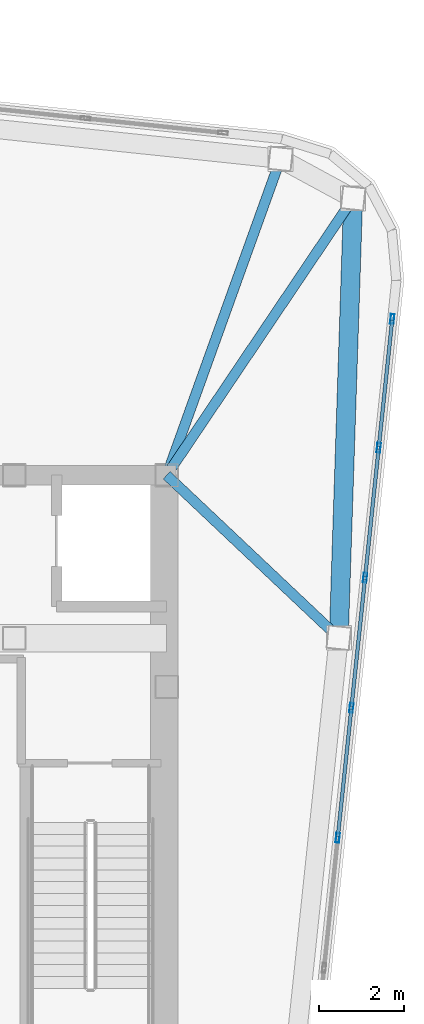
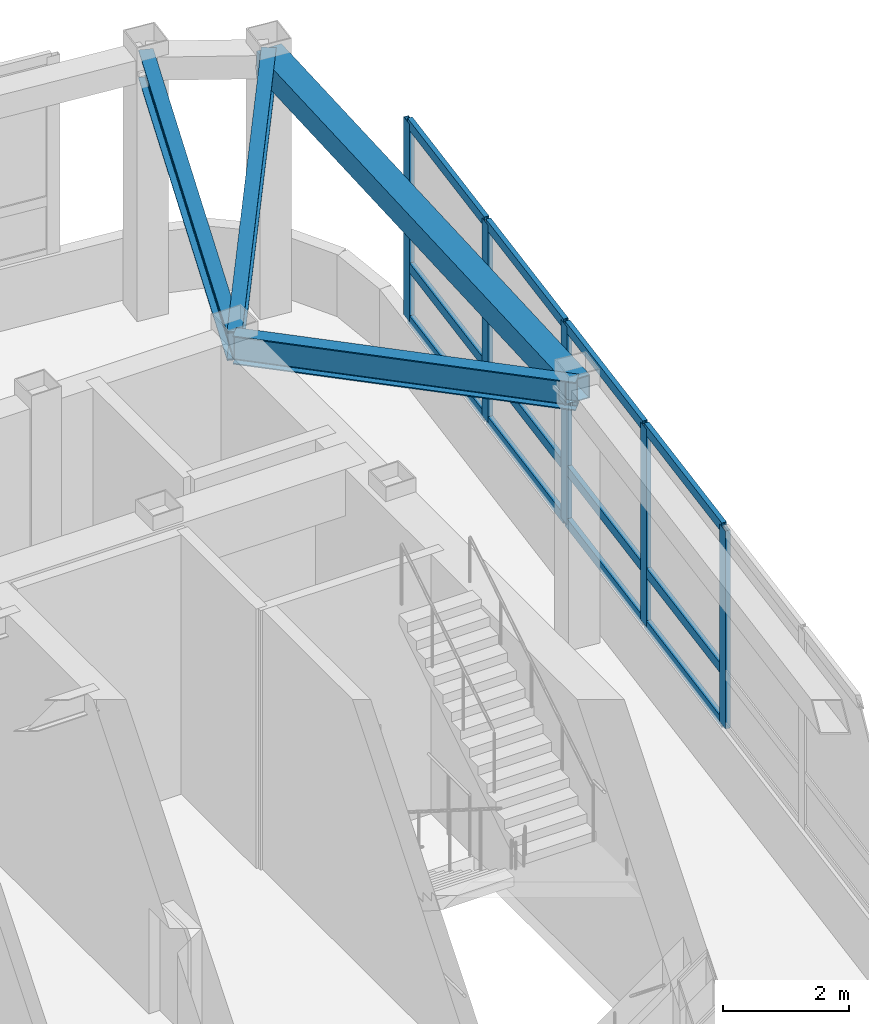
# One storey, part 13 of 23: 17 members, 4 beams, 1 element without a shape of its own.
"""IFC4 building model written with IfcOpenShell, lengths in metres."""

from ifc_helpers import new_model, si_unit, direction, frame, origin, origin_2d, place, context, subcontext, project, spatial, hollow_rectangle, i_section, extrude, material, layer, layer_set, material_profile, profile_set, type_object, element, aggregate, save


model = new_model("IFC4")

# Units and contexts
model_context = context("Model", 3, precision=1e-05, world=origin(), true_north=direction((0.0, 1.0)))
body_context = subcontext(model_context, "Body", "Model", "MODEL_VIEW")
ifc_project = project(units=[si_unit("LENGTHUNIT", "METRE"), si_unit("AREAUNIT", "SQUARE_METRE"), si_unit("VOLUMEUNIT", "CUBIC_METRE"), si_unit("PLANEANGLEUNIT", "RADIAN"), si_unit("MASSUNIT", "GRAM", prefix="KILO")], contexts=[model_context])

# Site, building, storey
site_placement = place(None, origin())
site = spatial("IfcSite", under=ifc_project, at=site_placement, CompositionType="ELEMENT")
building_placement = place(site_placement, origin())
building = spatial("IfcBuilding", under=site, at=building_placement, Name="Voryun Gate Residences", CompositionType="ELEMENT")
storey_placement = place(building_placement, frame((0.0, 0.0, 331.89990234375)))
storey = spatial("IfcBuildingStorey", under=building, at=storey_placement, Name="L81", CompositionType="ELEMENT", Elevation=331.89990234375)

# Beams
ifc_material_1 = material(Name="Steel SM355", Category="steel")
ifc_material_profile_1 = material_profile(ifc_material_1, hollow_rectangle(XDim=0.449951171875, YDim=0.449951171875, WallThickness=0.01806640625, at=origin_2d()), Name="BOX-450x450x18")
ifc_profile_set_1 = profile_set([ifc_material_profile_1], Name="Steel SM355")
beam_type_1 = type_object("IfcBeamType", Name="BM_CROWN_RING", PredefinedType="BEAM", material=ifc_profile_set_1)
beam_1_placement = place(storey_placement, frame((23.263916015625, 3.56201171875, 4.800048828125), z_axis=(0.032727694972, 0.999464305507, 0.0), x_axis=(-0.999464305507, 0.032727694972, 0.0)))
element("IfcBeam", 1, at=beam_1_placement, inside=storey, type_object=beam_type_1, Name="BM-L81-SPAND-09", PredefinedType="BEAM", context=body_context, shape_type="SweptSolid", body=[
    extrude(hollow_rectangle(XDim=0.449951171875, YDim=0.449951171875, WallThickness=0.01806640625, at=origin_2d()), origin(), (0.0, 0.0, 1.0), 10.384033203125),
])
ifc_material_2 = material(Name="Steel SM355", Category="steel")
ifc_material_profile_2 = material_profile(ifc_material_2, i_section(OverallWidth=0.239990234375, OverallDepth=0.550048828125, WebThickness=0.011962890625, FlangeThickness=0.02001953125, FilletRadius=0.01806640625, at=origin_2d()), Name="H-550x240x12x20")
ifc_profile_set_2 = profile_set([ifc_material_profile_2], Name="Steel SM355")
beam_type_2 = type_object("IfcBeamType", Name="BM_GIRD_550", PredefinedType="USERDEFINED", material=ifc_profile_set_2)
beam_2_placement = place(storey_placement, frame((19.199951171875, 7.39990234375, 4.75), z_axis=(0.727039799683, -0.686595317255, 0.0), x_axis=(0.686595317255, 0.727039799683, 0.0)))
element("IfcBeam", 2, at=beam_2_placement, inside=storey, type_object=beam_type_2, Name="BM-L81-RAD-E2", ObjectType="GIRDER", PredefinedType="USERDEFINED", context=body_context, shape_type="SweptSolid", body=[
    extrude(i_section(OverallWidth=0.239990234375, OverallDepth=0.550048828125, WebThickness=0.011962890625, FlangeThickness=0.02001953125, FilletRadius=0.01806640625, at=origin_2d()), origin(), (0.0, 0.0, 1.0), 5.58984375),
])
beam_3_placement = place(storey_placement, frame((19.199951171875, 7.39990234375, 4.75), z_axis=(0.558509953657, 0.829497818964, 0.0), x_axis=(-0.829497818964, 0.558509953657, 0.0)))
element("IfcBeam", 3, at=beam_3_placement, inside=storey, type_object=beam_type_2, Name="BM-L81-RAD-CNE", ObjectType="GIRDER", PredefinedType="USERDEFINED", context=body_context, shape_type="SweptSolid", body=[
    extrude(i_section(OverallWidth=0.239990234375, OverallDepth=0.550048828125, WebThickness=0.011962890625, FlangeThickness=0.02001953125, FilletRadius=0.01806640625, at=origin_2d()), origin(), (0.0, 0.0, 1.0), 7.885009765625),
])
beam_4_placement = place(storey_placement, frame((19.199951171875, 7.39990234375, 4.75), z_axis=(0.338588822794, 0.940934433996, 0.0), x_axis=(-0.940934433996, 0.338588822794, 0.0)))
element("IfcBeam", 4, at=beam_4_placement, inside=storey, type_object=beam_type_2, Name="BM-L81-RAD-N1", ObjectType="GIRDER", PredefinedType="USERDEFINED", context=body_context, shape_type="SweptSolid", body=[
    extrude(i_section(OverallWidth=0.239990234375, OverallDepth=0.550048828125, WebThickness=0.011962890625, FlangeThickness=0.02001953125, FilletRadius=0.01806640625, at=origin_2d()), origin(), (0.0, 0.0, 1.0), 7.94091796875),
])

# Curtain wall, members
ifc_material_3 = material(Name="Anodised aluminium", Category="aluminium")
ifc_layer = layer(ifc_material_3, 0.22998046875, Name="CW_SYS_LANTERN_DARK_GLASS")
ifc_layer_set = layer_set([ifc_layer], Name="Anodised aluminium")
curtain_wall_type = type_object("IfcCurtainWallType", Name="CW_SYS_LANTERN_DARK_GLASS", PredefinedType="NOTDEFINED", material=ifc_layer_set)
curtain_wall_placement = place(storey_placement, origin())
curtain_wall = element("IfcCurtainWall", 5, at=curtain_wall_placement, inside=storey, type_object=curtain_wall_type, Name="Curtain wall CW6-L81-16", PredefinedType="NOTDEFINED")
ifc_material_4 = material(Name="Anodised aluminium", Category="aluminium")
ifc_material_profile_3 = material_profile(ifc_material_4, hollow_rectangle(XDim=0.0849609375, YDim=0.22998046875, WallThickness=0.006103515625, at=origin_2d()), Name="ALU-MULL-230x85x6")
ifc_profile_set_3 = profile_set([ifc_material_profile_3], Name="Anodised aluminium")
member_type_1 = type_object("IfcMemberType", Name="CW_MULL_LANT", PredefinedType="MULLION", material=ifc_profile_set_3)
member_1_placement = place(storey_placement, frame((24.52783203125, 11.090576171875, 1.190185546875), z_axis=(0.0, 0.0, 1.0), x_axis=(0.994521943608, -0.104528004296, 0.0)))
member_1 = element("IfcMember", 6, at=member_1_placement, type_object=member_type_1, Name="CW6 mullion 1", PredefinedType="MULLION", context=body_context, shape_type="SweptSolid", body=[
    extrude(hollow_rectangle(XDim=0.0849609375, YDim=0.22998046875, WallThickness=0.006103515625, at=origin_2d()), origin(), (0.0, 0.0, 1.0), 3.8349609375),
])
member_2_placement = place(storey_placement, frame((24.208251953125, 8.04931640625, 1.190185546875), z_axis=(0.0, 0.0, 1.0), x_axis=(0.994521943608, -0.104528004296, 0.0)))
member_2 = element("IfcMember", 7, at=member_2_placement, type_object=member_type_1, Name="CW6 mullion 2", PredefinedType="MULLION", context=body_context, shape_type="SweptSolid", body=[
    extrude(hollow_rectangle(XDim=0.0849609375, YDim=0.22998046875, WallThickness=0.006103515625, at=origin_2d()), origin(), (0.0, 0.0, 1.0), 3.8349609375),
])
member_3_placement = place(storey_placement, frame((23.885498046875, 4.978515625, 1.190185546875), z_axis=(0.0, 0.0, 1.0), x_axis=(0.994521943608, -0.104528004296, 0.0)))
member_3 = element("IfcMember", 8, at=member_3_placement, type_object=member_type_1, Name="CW6 mullion 3", PredefinedType="MULLION", context=body_context, shape_type="SweptSolid", body=[
    extrude(hollow_rectangle(XDim=0.0849609375, YDim=0.22998046875, WallThickness=0.006103515625, at=origin_2d()), origin(), (0.0, 0.0, 1.0), 3.8349609375),
])
member_4_placement = place(storey_placement, frame((23.562744140625, 1.907470703125, 1.190185546875), z_axis=(0.0, 0.0, 1.0), x_axis=(0.994521943608, -0.104528004296, 0.0)))
member_4 = element("IfcMember", 9, at=member_4_placement, type_object=member_type_1, Name="CW6 mullion 4", PredefinedType="MULLION", context=body_context, shape_type="SweptSolid", body=[
    extrude(hollow_rectangle(XDim=0.0849609375, YDim=0.22998046875, WallThickness=0.006103515625, at=origin_2d()), origin(), (0.0, 0.0, 1.0), 3.8349609375),
])
member_5_placement = place(storey_placement, frame((23.239990234375, -1.163330078125, 1.190185546875), z_axis=(0.0, 0.0, 1.0), x_axis=(0.994521943608, -0.104528004296, 0.0)))
member_5 = element("IfcMember", 10, at=member_5_placement, type_object=member_type_1, Name="CW6 mullion 5", PredefinedType="MULLION", context=body_context, shape_type="SweptSolid", body=[
    extrude(hollow_rectangle(XDim=0.0849609375, YDim=0.22998046875, WallThickness=0.006103515625, at=origin_2d()), origin(), (0.0, 0.0, 1.0), 3.8349609375),
])
ifc_material_5 = material(Name="Anodised aluminium", Category="aluminium")
ifc_material_profile_4 = material_profile(ifc_material_5, hollow_rectangle(XDim=0.0849609375, YDim=0.18994140625, WallThickness=0.006103515625, at=origin_2d()), Name="ALU-TRAN-190x85x6")
ifc_profile_set_4 = profile_set([ifc_material_profile_4], Name="Anodised aluminium")
member_type_2 = type_object("IfcMemberType", Name="CW_TRAN_LANT", PredefinedType="USERDEFINED", material=ifc_profile_set_4)
member_6_placement = place(storey_placement, frame((24.524658203125, 11.060546875, 1.22021484375), z_axis=(-0.104485537102, -0.994526406153, 0.0), x_axis=(0.994526406153, -0.104485537102, 0.0)))
member_6 = element("IfcMember", 11, at=member_6_placement, type_object=member_type_2, Name="CW6 transom 1.1", ObjectType="TRANSOM", PredefinedType="USERDEFINED", context=body_context, shape_type="SweptSolid", body=[
    extrude(hollow_rectangle(XDim=0.0849609375, YDim=0.18994140625, WallThickness=0.006103515625, at=origin_2d()), origin(), (0.0, 0.0, 1.0), 2.997802734375),
])
member_7_placement = place(storey_placement, frame((24.524658203125, 11.060546875, 2.239990234375), z_axis=(-0.104485537102, -0.994526406153, 0.0), x_axis=(0.994526406153, -0.104485537102, 0.0)))
member_7 = element("IfcMember", 12, at=member_7_placement, type_object=member_type_2, Name="CW6 transom 1.2", ObjectType="TRANSOM", PredefinedType="USERDEFINED", context=body_context, shape_type="SweptSolid", body=[
    extrude(hollow_rectangle(XDim=0.0849609375, YDim=0.18994140625, WallThickness=0.006103515625, at=origin_2d()), origin(), (0.0, 0.0, 1.0), 2.997802734375),
])
member_8_placement = place(storey_placement, frame((24.524658203125, 11.060546875, 4.9951171875), z_axis=(-0.104485537102, -0.994526406153, 0.0), x_axis=(0.994526406153, -0.104485537102, 0.0)))
member_8 = element("IfcMember", 13, at=member_8_placement, type_object=member_type_2, Name="CW6 transom 1.3", ObjectType="TRANSOM", PredefinedType="USERDEFINED", context=body_context, shape_type="SweptSolid", body=[
    extrude(hollow_rectangle(XDim=0.0849609375, YDim=0.18994140625, WallThickness=0.006103515625, at=origin_2d()), origin(), (0.0, 0.0, 1.0), 2.997802734375),
])
member_9_placement = place(storey_placement, frame((24.205078125, 8.01953125, 1.22021484375), z_axis=(-0.104500100479, -0.994524876009, 0.0), x_axis=(0.994524876009, -0.104500100479, 0.0)))
member_9 = element("IfcMember", 14, at=member_9_placement, type_object=member_type_2, Name="CW6 transom 2.1", ObjectType="TRANSOM", PredefinedType="USERDEFINED", context=body_context, shape_type="SweptSolid", body=[
    extrude(hollow_rectangle(XDim=0.0849609375, YDim=0.18994140625, WallThickness=0.006103515625, at=origin_2d()), origin(), (0.0, 0.0, 1.0), 3.02783203125),
])
member_10_placement = place(storey_placement, frame((24.205078125, 8.01953125, 2.239990234375), z_axis=(-0.104500100479, -0.994524876009, 0.0), x_axis=(0.994524876009, -0.104500100479, 0.0)))
member_10 = element("IfcMember", 15, at=member_10_placement, type_object=member_type_2, Name="CW6 transom 2.2", ObjectType="TRANSOM", PredefinedType="USERDEFINED", context=body_context, shape_type="SweptSolid", body=[
    extrude(hollow_rectangle(XDim=0.0849609375, YDim=0.18994140625, WallThickness=0.006103515625, at=origin_2d()), origin(), (0.0, 0.0, 1.0), 3.02783203125),
])
member_11_placement = place(storey_placement, frame((24.205078125, 8.01953125, 4.9951171875), z_axis=(-0.104500100479, -0.994524876009, 0.0), x_axis=(0.994524876009, -0.104500100479, 0.0)))
member_11 = element("IfcMember", 16, at=member_11_placement, type_object=member_type_2, Name="CW6 transom 2.3", ObjectType="TRANSOM", PredefinedType="USERDEFINED", context=body_context, shape_type="SweptSolid", body=[
    extrude(hollow_rectangle(XDim=0.0849609375, YDim=0.18994140625, WallThickness=0.006103515625, at=origin_2d()), origin(), (0.0, 0.0, 1.0), 3.02783203125),
])
member_12_placement = place(storey_placement, frame((23.88232421875, 4.948486328125, 1.22021484375), z_axis=(-0.104500100479, -0.994524876009, 0.0), x_axis=(0.994524876009, -0.104500100479, 0.0)))
member_12 = element("IfcMember", 17, at=member_12_placement, type_object=member_type_2, Name="CW6 transom 3.1", ObjectType="TRANSOM", PredefinedType="USERDEFINED", context=body_context, shape_type="SweptSolid", body=[
    extrude(hollow_rectangle(XDim=0.0849609375, YDim=0.18994140625, WallThickness=0.006103515625, at=origin_2d()), origin(), (0.0, 0.0, 1.0), 3.02783203125),
])
member_13_placement = place(storey_placement, frame((23.88232421875, 4.948486328125, 2.239990234375), z_axis=(-0.104500100479, -0.994524876009, 0.0), x_axis=(0.994524876009, -0.104500100479, 0.0)))
member_13 = element("IfcMember", 18, at=member_13_placement, type_object=member_type_2, Name="CW6 transom 3.2", ObjectType="TRANSOM", PredefinedType="USERDEFINED", context=body_context, shape_type="SweptSolid", body=[
    extrude(hollow_rectangle(XDim=0.0849609375, YDim=0.18994140625, WallThickness=0.006103515625, at=origin_2d()), origin(), (0.0, 0.0, 1.0), 3.02783203125),
])
member_14_placement = place(storey_placement, frame((23.88232421875, 4.948486328125, 4.9951171875), z_axis=(-0.104500100479, -0.994524876009, 0.0), x_axis=(0.994524876009, -0.104500100479, 0.0)))
member_14 = element("IfcMember", 19, at=member_14_placement, type_object=member_type_2, Name="CW6 transom 3.3", ObjectType="TRANSOM", PredefinedType="USERDEFINED", context=body_context, shape_type="SweptSolid", body=[
    extrude(hollow_rectangle(XDim=0.0849609375, YDim=0.18994140625, WallThickness=0.006103515625, at=origin_2d()), origin(), (0.0, 0.0, 1.0), 3.02783203125),
])
member_15_placement = place(storey_placement, frame((23.5595703125, 1.877685546875, 1.22021484375), z_axis=(-0.104500100479, -0.994524876009, 0.0), x_axis=(0.994524876009, -0.104500100479, 0.0)))
member_15 = element("IfcMember", 20, at=member_15_placement, type_object=member_type_2, Name="CW6 transom 4.1", ObjectType="TRANSOM", PredefinedType="USERDEFINED", context=body_context, shape_type="SweptSolid", body=[
    extrude(hollow_rectangle(XDim=0.0849609375, YDim=0.18994140625, WallThickness=0.006103515625, at=origin_2d()), origin(), (0.0, 0.0, 1.0), 3.02783203125),
])
member_16_placement = place(storey_placement, frame((23.5595703125, 1.877685546875, 2.239990234375), z_axis=(-0.104500100479, -0.994524876009, 0.0), x_axis=(0.994524876009, -0.104500100479, 0.0)))
member_16 = element("IfcMember", 21, at=member_16_placement, type_object=member_type_2, Name="CW6 transom 4.2", ObjectType="TRANSOM", PredefinedType="USERDEFINED", context=body_context, shape_type="SweptSolid", body=[
    extrude(hollow_rectangle(XDim=0.0849609375, YDim=0.18994140625, WallThickness=0.006103515625, at=origin_2d()), origin(), (0.0, 0.0, 1.0), 3.02783203125),
])
member_17_placement = place(storey_placement, frame((23.5595703125, 1.877685546875, 4.9951171875), z_axis=(-0.104500100479, -0.994524876009, 0.0), x_axis=(0.994524876009, -0.104500100479, 0.0)))
member_17 = element("IfcMember", 22, at=member_17_placement, type_object=member_type_2, Name="CW6 transom 4.3", ObjectType="TRANSOM", PredefinedType="USERDEFINED", context=body_context, shape_type="SweptSolid", body=[
    extrude(hollow_rectangle(XDim=0.0849609375, YDim=0.18994140625, WallThickness=0.006103515625, at=origin_2d()), origin(), (0.0, 0.0, 1.0), 3.02783203125),
])
aggregate(curtain_wall, [member_1, member_2, member_3, member_4, member_5, member_6, member_7, member_8, member_9, member_10, member_11, member_12, member_13, member_14, member_15, member_16, member_17])

save(model, "model.ifc")
